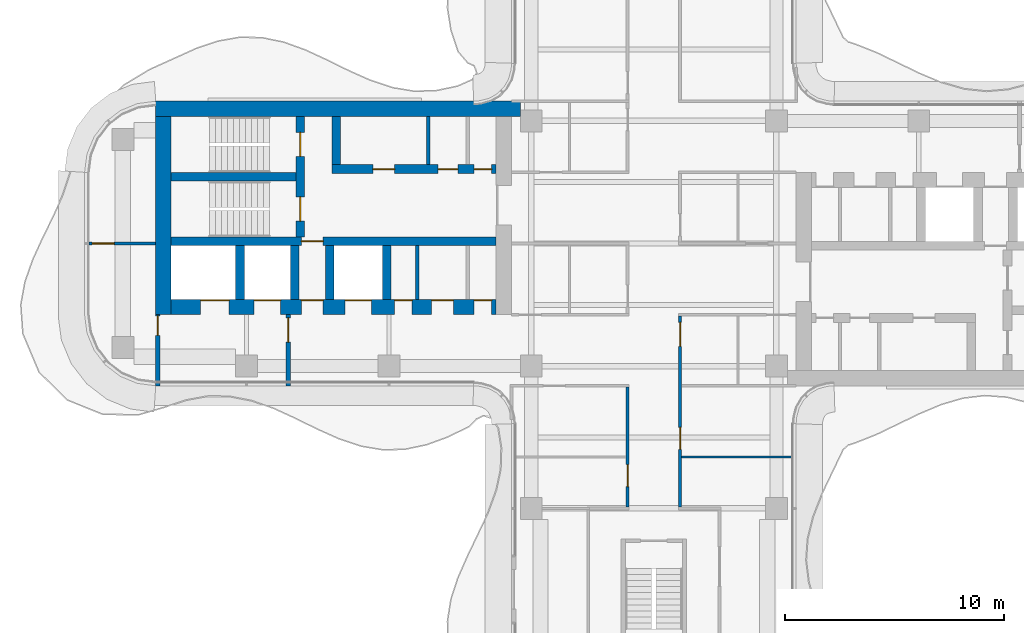
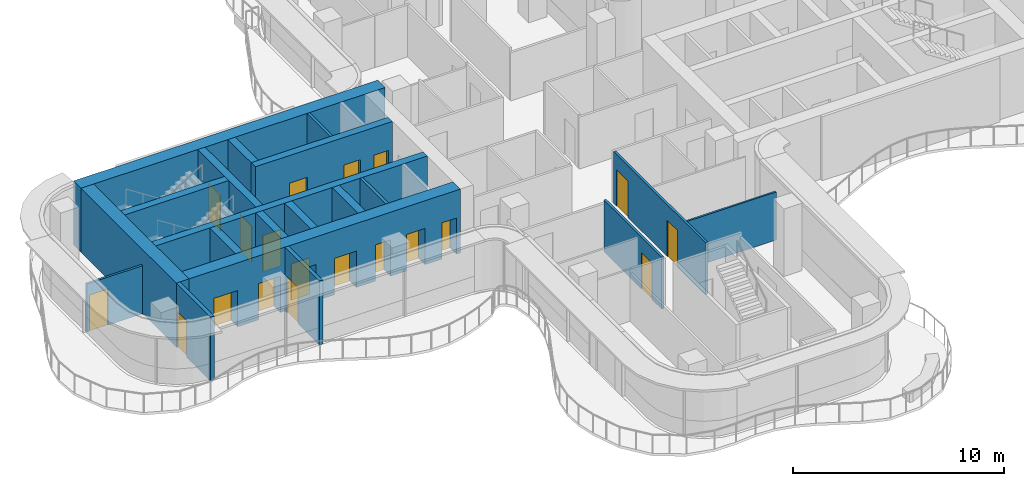
# One storey, part 11 of 16: 20 walls, 19 doors, 19 openings.
"""IFC4 building model written with IfcOpenShell, lengths in metres."""

import ifcopenshell
import ifcopenshell.guid

model = None  # the IFC model being written
_history = None  # IfcOwnerHistory: only IFC2X3 demands one
_inside = {}  # id of a spatial element -> (the spatial element, [elements in it])
_under = {}  # id of a project, library or spatial element -> (it, [spatial elements below it])
_declared = {}  # id of a project -> (the project, [libraries it declares])
_typed = {}  # id of a type object -> (the type object, [elements of that type])
_made_of = {}  # id of a material, layer set ... -> (it, [elements and type objects made of it])


def new_model(schema):
    """Start an empty IFC model of exactly this schema.

    Asked for "IFC4X3", IfcOpenShell would pick the latest addendum, in which some entities
    have other attributes; the version numbers below select the first issue.
    IFC2X3 requires an IfcOwnerHistory on every rooted entity: one is made here for all.
    """
    global model, _history
    if schema == "IFC4X3":
        model = ifcopenshell.file(schema_version=(4, 3, 0, 0))
    else:
        model = ifcopenshell.file(schema=schema)
    _inside.clear()
    _under.clear()
    _declared.clear()
    _typed.clear()
    _made_of.clear()
    _history = None
    if model.schema == "IFC2X3":
        org = make("IfcOrganization", Name="unknown")
        user = make(
            "IfcPersonAndOrganization",
            ThePerson=make("IfcPerson", FamilyName="unknown"),
            TheOrganization=org,
        )
        app = make(
            "IfcApplication",
            ApplicationDeveloper=org,
            Version="unknown",
            ApplicationFullName="unknown",
            ApplicationIdentifier="unknown",
        )
        _history = make(
            "IfcOwnerHistory",
            OwningUser=user,
            OwningApplication=app,
            ChangeAction="ADDED",
            CreationDate=0,
        )
    return model


def make(cls, **values):
    """One entity of the class cls with the attributes given. An attribute that is None is left unset."""
    return model.create_entity(
        cls, **{name: value for name, value in values.items() if value is not None}
    )


def rooted(cls, **values):
    """An entity with a GlobalId (a new one), such as an element, a storey or a relation."""
    return make(cls, GlobalId=ifcopenshell.guid.new(), OwnerHistory=_history, **values)


def si_unit(unit_type, name, prefix=None):
    """IfcSIUnit, for example si_unit("LENGTHUNIT", "METRE", prefix="MILLI")."""
    return make("IfcSIUnit", UnitType=unit_type, Prefix=prefix, Name=name)


def assignment(units):
    """IfcUnitAssignment: the units of a project."""
    return None if units is None else make("IfcUnitAssignment", Units=units)


def point(xyz):
    """IfcCartesianPoint."""
    return None if xyz is None else make("IfcCartesianPoint", Coordinates=xyz)


def direction(xyz):
    """IfcDirection."""
    return None if xyz is None else make("IfcDirection", DirectionRatios=xyz)


def frame(location, z_axis=None, x_axis=None):
    """IfcAxis2Placement3D, a coordinate frame: its origin and axes. An axis left out is left unset."""
    return make(
        "IfcAxis2Placement3D",
        Location=point(location),
        Axis=direction(z_axis),
        RefDirection=direction(x_axis),
    )


def frame_2d(location, x_axis=None):
    """IfcAxis2Placement2D, a coordinate frame in the plane: its origin and x axis."""
    return make(
        "IfcAxis2Placement2D", Location=point(location), RefDirection=direction(x_axis)
    )


def origin():
    """The frame at (0, 0, 0) with its axes left unset."""
    return frame((0.0, 0.0, 0.0))


def place(relative_to, where):
    """IfcLocalPlacement: puts the frame where relative to a parent placement (None: the world)."""
    return make(
        "IfcLocalPlacement", PlacementRelTo=relative_to, RelativePlacement=where
    )


def context(
    kind, dimensions, precision=None, world=None, true_north=None, identifier=None
):
    """IfcGeometricRepresentationContext, for example the 3D "Model" context."""
    return make(
        "IfcGeometricRepresentationContext",
        ContextIdentifier=identifier,
        ContextType=kind,
        CoordinateSpaceDimension=dimensions,
        Precision=precision,
        WorldCoordinateSystem=world,
        TrueNorth=true_north,
    )


def subcontext(parent, identifier, kind, view, scale=None):
    """IfcGeometricRepresentationSubContext, for example "Body" below "Model"."""
    return make(
        "IfcGeometricRepresentationSubContext",
        ContextIdentifier=identifier,
        ContextType=kind,
        ParentContext=parent,
        TargetScale=scale,
        TargetView=view,
    )


def project(units=None, contexts=None):
    """IfcProject with its units and contexts."""
    return rooted(
        "IfcProject",
        Name="project",
        RepresentationContexts=contexts,
        UnitsInContext=assignment(units),
    )


def spatial(cls, under=None, at=None, **own):
    """A site, building, storey or space (cls), placed at a placement, below another one or the project."""
    s = rooted(cls, ObjectPlacement=at, **own)
    if under is not None:
        _under.setdefault(under.id(), (under, []))[1].append(s)
    return s


def profile(cls, at=None, kind="AREA", **sizes):
    """A parametric profile (cls). Its sizes go by their IFC names, for example OverallWidth=200.0."""
    return make(cls, ProfileType=kind, Position=at, **sizes)


def rectangle(**sizes):
    """IfcRectangleProfileDef."""
    return profile("IfcRectangleProfileDef", **sizes)


def extrude(swept, where, along, depth):
    """IfcExtrudedAreaSolid: the profile swept, set in the frame where, extruded along a direction by depth."""
    return make(
        "IfcExtrudedAreaSolid",
        SweptArea=swept,
        Position=where,
        ExtrudedDirection=direction(along),
        Depth=depth,
    )


def shape(context_of_items, identifier, shape_type, items):
    """IfcShapeRepresentation: the items that make up one representation, for example the "Body"."""
    return make(
        "IfcShapeRepresentation",
        ContextOfItems=context_of_items,
        RepresentationIdentifier=identifier,
        RepresentationType=shape_type,
        Items=items,
    )


def source(mapping_origin, context_of_items, identifier, shape_type, items):
    """IfcRepresentationMap: a shape defined once, which mapped items show again and again."""
    return make(
        "IfcRepresentationMap",
        MappingOrigin=mapping_origin,
        MappedRepresentation=shape(context_of_items, identifier, shape_type, items),
    )


def transform(
    local_origin,
    x_axis=None,
    y_axis=None,
    z_axis=None,
    scale=None,
    scale2=None,
    scale3=None,
    uniform=True,
):
    """IfcCartesianTransformationOperator3D, or its non-uniform kind. x_axis, y_axis, z_axis: its Axis1, 2, 3."""
    if uniform:
        return make(
            "IfcCartesianTransformationOperator3D",
            Axis1=direction(x_axis),
            Axis2=direction(y_axis),
            LocalOrigin=point(local_origin),
            Scale=scale,
            Axis3=direction(z_axis),
        )
    return make(
        "IfcCartesianTransformationOperator3DnonUniform",
        Axis1=direction(x_axis),
        Axis2=direction(y_axis),
        LocalOrigin=point(local_origin),
        Scale=scale,
        Axis3=direction(z_axis),
        Scale2=scale2,
        Scale3=scale3,
    )


def mapped(mapping_source, mapping_target):
    """IfcMappedItem: shows the shape of a source again, moved by a transform."""
    return make(
        "IfcMappedItem", MappingSource=mapping_source, MappingTarget=mapping_target
    )


def material(Name=None, Category=None):
    """IfcMaterial."""
    return make("IfcMaterial", Name=Name, Category=Category)


def layer(
    of_material, thickness, ventilated=None, Name=None, Category=None, Priority=None
):
    """IfcMaterialLayer: one layer of a wall or slab, of a material (None: an air gap)."""
    return make(
        "IfcMaterialLayer",
        Material=of_material,
        LayerThickness=thickness,
        IsVentilated=ventilated,
        Name=Name,
        Category=Category,
        Priority=Priority,
    )


def layer_set(layers, Name=None):
    """IfcMaterialLayerSet."""
    return make("IfcMaterialLayerSet", MaterialLayers=layers, LayerSetName=Name)


def made_of(thing, what):
    """Note that an element or type object is made of a material, layer set ...; save() writes the relation."""
    if what is not None:
        _made_of.setdefault(what.id(), (what, []))[1].append(thing)
    return thing


def type_object(cls, material=None, **own):
    """A type object (cls), such as IfcWallType, which elements share."""
    return made_of(rooted(cls, **own), material)


def element(
    cls,
    number,
    at=None,
    inside=None,
    cuts=None,
    type_object=None,
    material=None,
    context=None,
    identifier="Body",
    shape_type=None,
    held_by="IfcProductDefinitionShape",
    body=None,
    shapes=None,
    **own,
):
    """One element of the class cls, such as IfcWall. Its Tag is "e" and its number.

    at: its placement. inside: the storey or other place that contains it. cuts: it is an
    opening in that element (IfcRelVoidsElement). A single representation is given by context,
    identifier, shape_type and body (its items); several are given by shapes. held_by: the class
    of the entity that holds the representations. save() writes the other relations.
    """
    e = rooted(cls, Tag="e%d" % number, ObjectPlacement=at, **own)
    if body is not None:
        shapes = [shape(context, identifier, shape_type, body)]
    if shapes is not None:
        e.Representation = make(held_by, Representations=shapes)
    if inside is not None:
        _inside.setdefault(inside.id(), (inside, []))[1].append(e)
    if cuts is not None:
        rooted(
            "IfcRelVoidsElement", RelatingBuildingElement=cuts, RelatedOpeningElement=e
        )
    if type_object is not None:
        _typed.setdefault(type_object.id(), (type_object, []))[1].append(e)
    return made_of(e, material)


def fill(opening, filler):
    """IfcRelFillsElement: the door or window that sits in an opening."""
    return rooted(
        "IfcRelFillsElement",
        RelatingOpeningElement=opening,
        RelatedBuildingElement=filler,
    )


def aggregate(whole, parts):
    """IfcRelAggregates: a whole, such as a stair, and the parts it consists of."""
    return rooted("IfcRelAggregates", RelatingObject=whole, RelatedObjects=parts)


def save(model, path):
    """Write the relations noted so far, then the file.

    IfcRelAggregates (storeys below a building ...), IfcRelContainedInSpatialStructure (elements
    in a storey), IfcRelDefinesByType, IfcRelAssociatesMaterial and IfcRelDeclares: one each for
    every whole, place, type object, material and project.
    """
    for whole, parts in _under.values():
        aggregate(whole, parts)
    for where, things in _inside.values():
        rooted(
            "IfcRelContainedInSpatialStructure",
            RelatedElements=things,
            RelatingStructure=where,
        )
    for kind, things in _typed.values():
        rooted("IfcRelDefinesByType", RelatedObjects=things, RelatingType=kind)
    for what, things in _made_of.values():
        rooted("IfcRelAssociatesMaterial", RelatedObjects=things, RelatingMaterial=what)
    for by, libraries in _declared.values():
        rooted("IfcRelDeclares", RelatingContext=by, RelatedDefinitions=libraries)
    model.write(path)


model = new_model("IFC4")

# Units and contexts
model_context = context("Model", 3, precision=1e-05, world=origin(), true_north=direction((0.0, 1.0)))
body_context = subcontext(model_context, "Body", "Model", "MODEL_VIEW")
ifc_project = project(units=[si_unit("LENGTHUNIT", "METRE"), si_unit("AREAUNIT", "SQUARE_METRE"), si_unit("VOLUMEUNIT", "CUBIC_METRE"), si_unit("PLANEANGLEUNIT", "RADIAN"), si_unit("MASSUNIT", "GRAM", prefix="KILO")], contexts=[model_context])

# Site, building, storey
site_placement = place(None, origin())
site = spatial("IfcSite", under=ifc_project, at=site_placement, CompositionType="ELEMENT")
building_placement = place(site_placement, origin())
building = spatial("IfcBuilding", under=site, at=building_placement, Name="Trellis Farm Tower", CompositionType="ELEMENT")
storey_placement = place(building_placement, frame((0.0, 0.0, 302.800048828125)))
storey = spatial("IfcBuildingStorey", under=building, at=storey_placement, Name="L68", CompositionType="ELEMENT", Elevation=302.800048828125)

# Walls
ifc_material_1 = material(Name="Concrete C50/60", Category="concrete")
ifc_layer_1 = layer(ifc_material_1, 0.699951171875)
ifc_layer_set_1 = layer_set([ifc_layer_1], Name="CORE OUTER WALL 700 CONCRETE C50/60")
wall_type_1 = type_object("IfcWallType", Name="CORE OUTER WALL 700 CONCRETE C50/60", PredefinedType="SHEAR", material=ifc_layer_set_1)
shared_shape_1 = source(origin(), body_context, "Body", "SweptSolid", [
    extrude(rectangle(XDim=9.050048828125, YDim=0.699951171875, at=frame_2d((4.52490234375, 0.0))), origin(), (0.0, 0.0, 1.0), 3.699951171875),
])
wall_1_placement = place(storey_placement, frame((-22.39990234375, 5.800048828125, 0.0), z_axis=(0.0, 0.0, 1.0), x_axis=(0.0, -1.0, 0.0)))
element("IfcWall", 1, at=wall_1_placement, inside=storey, type_object=wall_type_1, Name="Core wall", PredefinedType="SHEAR", context=body_context, shape_type="MappedRepresentation", body=[
    mapped(shared_shape_1, transform((0.0, 0.0, 0.0))),
])
ifc_layer_2 = layer(ifc_material_1, 0.39990234375)
ifc_layer_set_2 = layer_set([ifc_layer_2], Name="CORE INNER WALL 400 CONCRETE C50/60")
wall_type_2 = type_object("IfcWallType", Name="CORE INNER WALL 400 CONCRETE C50/60", PredefinedType="SHEAR", material=ifc_layer_set_2)
shared_shape_2 = source(origin(), body_context, "Body", "SweptSolid", [
    extrude(rectangle(XDim=2.449951171875, YDim=0.39990234375, at=frame_2d((1.22509765625, 0.0))), origin(), (0.0, 0.0, 1.0), 3.699951171875),
])
for number, where, z_axis, x_axis, name in (
    (2, (-12.199951171875, -0.10009765625, 0.0), (0.0, 0.0, 1.0), (0.0, -1.0, 0.0), "Core wall"),
    (3, (-14.800048828125, -0.10009765625, 0.0), (0.0, 0.0, 1.0), (0.0, -1.0, 0.0), "Core wall"),
    (4, (-16.39990234375, -0.10009765625, 0.0), (0.0, 0.0, 1.0), (0.0, -1.0, 0.0), "Core wall"),
    (5, (-18.89990234375, -0.10009765625, 0.0), (0.0, 0.0, 1.0), (0.0, -1.0, 0.0), "Core wall"),
):
    element("IfcWall", number, at=place(storey_placement, frame(where, z_axis=z_axis, x_axis=x_axis)), inside=storey, type_object=wall_type_2, Name=name, PredefinedType="SHEAR", context=body_context, shape_type="MappedRepresentation", body=[
        mapped(shared_shape_2, transform((0.0, 0.0, 0.0))),
    ])

# Wall, opening, door
ifc_material_2 = material(Name="Masonry blockwork", Category="masonry")
ifc_layer_3 = layer(ifc_material_2, 0.199951171875)
ifc_layer_set_3 = layer_set([ifc_layer_3], Name="FIRE LOBBY PARTITION 200 BLOCKWORK")
wall_type_3 = type_object("IfcWallType", Name="FIRE LOBBY PARTITION 200 BLOCKWORK", PredefinedType="PARTITIONING", material=ifc_layer_set_3)
shared_shape_3 = source(origin(), body_context, "Body", "SweptSolid", [
    extrude(rectangle(XDim=3.25, YDim=0.199951171875, at=frame_2d((1.625, 0.0))), origin(), (0.0, 0.0, 1.0), 3.699951171875),
])
wall_2_placement = place(storey_placement, frame((-16.699951171875, -3.25, 0.0), z_axis=(0.0, 0.0, 1.0), x_axis=(0.0, -1.0, 0.0)))
wall_2 = element("IfcWall", 6, at=wall_2_placement, inside=storey, type_object=wall_type_3, Name="Fire-fighting lobby partition", PredefinedType="PARTITIONING", context=body_context, shape_type="MappedRepresentation", body=[
    mapped(shared_shape_3, transform((0.0, 0.0, 0.0))),
])
shared_shape_4 = source(origin(), body_context, "Body", "SweptSolid", [
    extrude(rectangle(XDim=1.10009765625, YDim=2.10009765625, at=frame_2d((0.550048828125, 1.050048828125))), frame((0.0, 0.110107421875, 0.0), z_axis=(0.0, -1.0, 0.0), x_axis=(1.0, 0.0, 0.0)), (0.0, 0.0, 1.0), 0.22021484375),
])
opening_1_placement = place(wall_2_placement, frame((0.14990234375, 0.0, 0.0)))
opening_1 = element("IfcOpeningElement", 7, at=opening_1_placement, cuts=wall_2, Name="Opening DC93", PredefinedType="OPENING", context=body_context, shape_type="MappedRepresentation", body=[
    mapped(shared_shape_4, transform((0.0, 0.0, 0.0))),
])
ifc_material_3 = material(Name="Steel", Category="steel")
door_type_1 = type_object("IfcDoorType", Name="CORE FIRE DOOR 1100 X 2100", OperationType="NOTDEFINED", PredefinedType="DOOR", material=ifc_material_3)
shared_shape_5 = source(origin(), body_context, "Body", "SweptSolid", [
    extrude(rectangle(XDim=1.10009765625, YDim=2.10009765625, at=frame_2d((0.550048828125, 1.050048828125))), frame((0.0, 0.02490234375, 0.0), z_axis=(0.0, -1.0, 0.0), x_axis=(1.0, 0.0, 0.0)), (0.0, 0.0, 1.0), 0.050048828125),
])
door_1_placement = place(opening_1_placement, origin())
door_1 = element("IfcDoor", 8, at=door_1_placement, inside=storey, type_object=door_type_1, Name="Core door", OperationType="SINGLE_SWING_RIGHT", OverallHeight=2.10009765625, OverallWidth=1.10009765625, PredefinedType="DOOR", context=body_context, shape_type="MappedRepresentation", body=[
    mapped(shared_shape_5, transform((0.0, 0.0, 0.0))),
])
fill(opening_1, door_1)

wall_3_placement = place(storey_placement, frame((-22.64990234375, -3.25, 0.0), z_axis=(0.0, 0.0, 1.0), x_axis=(0.0, -1.0, 0.0)))
wall_3 = element("IfcWall", 9, at=wall_3_placement, inside=storey, type_object=wall_type_3, Name="Fire-fighting lobby partition", PredefinedType="PARTITIONING", context=body_context, shape_type="MappedRepresentation", body=[
    mapped(shared_shape_3, transform((0.0, 0.0, 0.0))),
])
shared_shape_6 = source(origin(), body_context, "Body", "SweptSolid", [
    extrude(rectangle(XDim=0.89990234375, YDim=2.10009765625, at=frame_2d((0.449951171875, 1.050048828125))), frame((0.0, 0.110107421875, 0.0), z_axis=(0.0, -1.0, 0.0), x_axis=(1.0, 0.0, 0.0)), (0.0, 0.0, 1.0), 0.22021484375),
])
opening_2_placement = place(wall_3_placement, frame((0.050048828125, 0.0, 0.0)))
opening_2 = element("IfcOpeningElement", 10, at=opening_2_placement, cuts=wall_3, Name="Opening DC94", PredefinedType="OPENING", context=body_context, shape_type="MappedRepresentation", body=[
    mapped(shared_shape_6, transform((0.0, 0.0, 0.0))),
])
door_type_2 = type_object("IfcDoorType", Name="CORE FIRE DOOR 900 X 2100", OperationType="NOTDEFINED", PredefinedType="DOOR", material=ifc_material_3)
shared_shape_7 = source(origin(), body_context, "Body", "SweptSolid", [
    extrude(rectangle(XDim=0.89990234375, YDim=2.10009765625, at=frame_2d((0.449951171875, 1.050048828125))), frame((0.0, 0.02490234375, 0.0), z_axis=(0.0, -1.0, 0.0), x_axis=(1.0, 0.0, 0.0)), (0.0, 0.0, 1.0), 0.050048828125),
])
door_2_placement = place(opening_2_placement, origin())
door_2 = element("IfcDoor", 11, at=door_2_placement, inside=storey, type_object=door_type_2, Name="Core door", OperationType="SINGLE_SWING_RIGHT", OverallHeight=2.10009765625, OverallWidth=0.89990234375, PredefinedType="DOOR", context=body_context, shape_type="MappedRepresentation", body=[
    mapped(shared_shape_7, transform((0.0, 0.0, 0.0))),
])
fill(opening_2, door_2)

# Wall, openings, doors
shared_shape_8 = source(origin(), body_context, "Body", "SweptSolid", [
    extrude(rectangle(XDim=14.85009765625, YDim=0.699951171875, at=frame_2d((7.425048828125, 0.0))), origin(), (0.0, 0.0, 1.0), 3.699951171875),
])
wall_4_placement = place(storey_placement, frame((-7.199951171875, -2.89990234375, 0.0), z_axis=(0.0, 0.0, 1.0), x_axis=(-1.0, 0.0, 0.0)))
wall_4 = element("IfcWall", 12, at=wall_4_placement, inside=storey, type_object=wall_type_1, Name="Core wall", PredefinedType="SHEAR", context=body_context, shape_type="MappedRepresentation", body=[
    mapped(shared_shape_8, transform((0.0, 0.0, 0.0))),
])
shared_shape_9 = source(origin(), body_context, "Body", "SweptSolid", [
    extrude(rectangle(XDim=1.199951171875, YDim=2.10009765625, at=frame_2d((0.60009765625, 1.050048828125))), frame((0.0, 0.360107421875, 0.0), z_axis=(0.0, -1.0, 0.0), x_axis=(1.0, 0.0, 0.0)), (0.0, 0.0, 1.0), 0.72021484375),
])
opening_3_placement = place(wall_4_placement, frame((5.699951171875, 0.0, 0.0)))
opening_3 = element("IfcOpeningElement", 13, at=opening_3_placement, cuts=wall_4, Name="Opening LD14", PredefinedType="OPENING", context=body_context, shape_type="MappedRepresentation", body=[
    mapped(shared_shape_9, transform((0.0, 0.0, 0.0))),
])
shared_shape_10 = source(origin(), body_context, "Body", "SweptSolid", [
    extrude(rectangle(XDim=1.300048828125, YDim=2.10009765625, at=frame_2d((0.64990234375, 1.050048828125))), frame((0.0, 0.360107421875, 0.0), z_axis=(0.0, -1.0, 0.0), x_axis=(1.0, 0.0, 0.0)), (0.0, 0.0, 1.0), 0.72021484375),
])
opening_4_placement = place(wall_4_placement, frame((12.199951171875, 0.0, 0.0)))
opening_4 = element("IfcOpeningElement", 14, at=opening_4_placement, cuts=wall_4, Name="Opening LD15", PredefinedType="OPENING", context=body_context, shape_type="MappedRepresentation", body=[
    mapped(shared_shape_10, transform((0.0, 0.0, 0.0))),
])
opening_5_placement = place(wall_4_placement, frame((9.85009765625, 0.0, 0.0)))
opening_5 = element("IfcOpeningElement", 15, at=opening_5_placement, cuts=wall_4, Name="Opening LD16", PredefinedType="OPENING", context=body_context, shape_type="MappedRepresentation", body=[
    mapped(shared_shape_9, transform((0.0, 0.0, 0.0))),
])
shared_shape_11 = source(origin(), body_context, "Body", "SweptSolid", [
    extrude(rectangle(XDim=1.0, YDim=2.10009765625, at=frame_2d((0.5, 1.050048828125))), frame((0.0, 0.360107421875, 0.0), z_axis=(0.0, -1.0, 0.0), x_axis=(1.0, 0.0, 0.0)), (0.0, 0.0, 1.0), 0.72021484375),
])
opening_6_placement = place(wall_4_placement, frame((7.89990234375, 0.0, 0.0)))
opening_6 = element("IfcOpeningElement", 16, at=opening_6_placement, cuts=wall_4, Name="Opening DC92", PredefinedType="OPENING", context=body_context, shape_type="MappedRepresentation", body=[
    mapped(shared_shape_11, transform((0.0, 0.0, 0.0))),
])
shared_shape_12 = source(origin(), body_context, "Body", "SweptSolid", [
    extrude(rectangle(XDim=0.800048828125, YDim=2.10009765625, at=frame_2d((0.39990234375, 1.050048828125))), frame((0.0, 0.360107421875, 0.0), z_axis=(0.0, -1.0, 0.0), x_axis=(1.0, 0.0, 0.0)), (0.0, 0.0, 1.0), 0.72021484375),
])
opening_7_placement = place(wall_4_placement, frame((0.21240234375, 0.0, 0.0)))
opening_7 = element("IfcOpeningElement", 17, at=opening_7_placement, cuts=wall_4, Name="Opening DC96", PredefinedType="OPENING", context=body_context, shape_type="MappedRepresentation", body=[
    mapped(shared_shape_12, transform((0.0, 0.0, 0.0))),
])
opening_8_placement = place(wall_4_placement, frame((1.949951171875, 0.0, 0.0)))
opening_8 = element("IfcOpeningElement", 18, at=opening_8_placement, cuts=wall_4, Name="Opening DC105", PredefinedType="OPENING", context=body_context, shape_type="MappedRepresentation", body=[
    mapped(shared_shape_11, transform((0.0, 0.0, 0.0))),
])
opening_9_placement = place(wall_4_placement, frame((3.83740234375, 0.0, 0.0)))
opening_9 = element("IfcOpeningElement", 19, at=opening_9_placement, cuts=wall_4, Name="Opening DC108", PredefinedType="OPENING", context=body_context, shape_type="MappedRepresentation", body=[
    mapped(shared_shape_12, transform((0.0, 0.0, 0.0))),
])
door_type_3 = type_object("IfcDoorType", Name="CORE FIRE DOOR 1000 X 2100", OperationType="NOTDEFINED", PredefinedType="DOOR", material=ifc_material_3)
shared_shape_13 = source(origin(), body_context, "Body", "SweptSolid", [
    extrude(rectangle(XDim=1.0, YDim=2.10009765625, at=frame_2d((0.5, 1.050048828125))), frame((0.0, -0.27490234375, 0.0), z_axis=(0.0, -1.0, 0.0), x_axis=(1.0, 0.0, 0.0)), (0.0, 0.0, 1.0), 0.050048828125),
])
door_3_placement = place(opening_6_placement, origin())
door_3 = element("IfcDoor", 20, at=door_3_placement, inside=storey, type_object=door_type_3, Name="Core door", OperationType="SINGLE_SWING_LEFT", OverallHeight=2.10009765625, OverallWidth=1.0, PredefinedType="DOOR", context=body_context, shape_type="MappedRepresentation", body=[
    mapped(shared_shape_13, transform((0.0, 0.0, 0.0))),
])
fill(opening_6, door_3)
door_4_placement = place(opening_8_placement, origin())
door_4 = element("IfcDoor", 21, at=door_4_placement, inside=storey, type_object=door_type_3, Name="Core door", OperationType="SINGLE_SWING_LEFT", OverallHeight=2.10009765625, OverallWidth=1.0, PredefinedType="DOOR", context=body_context, shape_type="MappedRepresentation", body=[
    mapped(shared_shape_13, transform((0.0, 0.0, 0.0))),
])
fill(opening_8, door_4)
ifc_material_4 = material(Name="Stainless steel", Category="steel")
door_type_4 = type_object("IfcDoorType", Name="LIFT LANDING DOOR 1300 X 2100", OperationType="DOUBLE_DOOR_SLIDING", PredefinedType="DOOR", material=ifc_material_4)
shared_shape_14 = source(origin(), body_context, "Body", "SweptSolid", [
    extrude(rectangle(XDim=1.300048828125, YDim=2.10009765625, at=frame_2d((0.64990234375, 1.050048828125))), frame((0.0, -0.27490234375, 0.0), z_axis=(0.0, -1.0, 0.0), x_axis=(1.0, 0.0, 0.0)), (0.0, 0.0, 1.0), 0.050048828125),
])
door_5_placement = place(opening_4_placement, origin())
door_5 = element("IfcDoor", 22, at=door_5_placement, inside=storey, type_object=door_type_4, Name="Lift landing door", OperationType="DOUBLE_DOOR_SLIDING", OverallHeight=2.10009765625, OverallWidth=1.300048828125, PredefinedType="DOOR", context=body_context, shape_type="MappedRepresentation", body=[
    mapped(shared_shape_14, transform((0.0, 0.0, 0.0))),
])
fill(opening_4, door_5)
door_type_5 = type_object("IfcDoorType", Name="LIFT LANDING DOOR 1200 X 2100", OperationType="DOUBLE_DOOR_SLIDING", PredefinedType="DOOR", material=ifc_material_4)
shared_shape_15 = source(origin(), body_context, "Body", "SweptSolid", [
    extrude(rectangle(XDim=1.199951171875, YDim=2.10009765625, at=frame_2d((0.60009765625, 1.050048828125))), frame((0.0, -0.27490234375, 0.0), z_axis=(0.0, -1.0, 0.0), x_axis=(1.0, 0.0, 0.0)), (0.0, 0.0, 1.0), 0.050048828125),
])
door_6_placement = place(opening_3_placement, origin())
door_6 = element("IfcDoor", 23, at=door_6_placement, inside=storey, type_object=door_type_5, Name="Lift landing door", OperationType="DOUBLE_DOOR_SLIDING", OverallHeight=2.10009765625, OverallWidth=1.199951171875, PredefinedType="DOOR", context=body_context, shape_type="MappedRepresentation", body=[
    mapped(shared_shape_15, transform((0.0, 0.0, 0.0))),
])
fill(opening_3, door_6)
door_7_placement = place(opening_5_placement, origin())
door_7 = element("IfcDoor", 24, at=door_7_placement, inside=storey, type_object=door_type_5, Name="Lift landing door", OperationType="DOUBLE_DOOR_SLIDING", OverallHeight=2.10009765625, OverallWidth=1.199951171875, PredefinedType="DOOR", context=body_context, shape_type="MappedRepresentation", body=[
    mapped(shared_shape_15, transform((0.0, 0.0, 0.0))),
])
fill(opening_5, door_7)
door_type_6 = type_object("IfcDoorType", Name="CORE FIRE DOOR 800 X 2100", OperationType="NOTDEFINED", PredefinedType="DOOR", material=ifc_material_3)
shared_shape_16 = source(origin(), body_context, "Body", "SweptSolid", [
    extrude(rectangle(XDim=0.800048828125, YDim=2.10009765625, at=frame_2d((0.39990234375, 1.050048828125))), frame((0.0, -0.27490234375, 0.0), z_axis=(0.0, -1.0, 0.0), x_axis=(1.0, 0.0, 0.0)), (0.0, 0.0, 1.0), 0.050048828125),
])
door_8_placement = place(opening_7_placement, origin())
door_8 = element("IfcDoor", 25, at=door_8_placement, inside=storey, type_object=door_type_6, Name="Core door", OperationType="SINGLE_SWING_RIGHT", OverallHeight=2.10009765625, OverallWidth=0.800048828125, PredefinedType="DOOR", context=body_context, shape_type="MappedRepresentation", body=[
    mapped(shared_shape_16, transform((0.0, 0.0, 0.0))),
])
fill(opening_7, door_8)
door_9_placement = place(opening_9_placement, origin())
door_9 = element("IfcDoor", 26, at=door_9_placement, inside=storey, type_object=door_type_6, Name="Core door", OperationType="SINGLE_SWING_RIGHT", OverallHeight=2.10009765625, OverallWidth=0.800048828125, PredefinedType="DOOR", context=body_context, shape_type="MappedRepresentation", body=[
    mapped(shared_shape_16, transform((0.0, 0.0, 0.0))),
])
fill(opening_9, door_9)

shared_shape_17 = source(origin(), body_context, "Body", "SweptSolid", [
    extrude(rectangle(XDim=7.5, YDim=0.39990234375, at=frame_2d((3.75, 0.0))), origin(), (0.0, 0.0, 1.0), 3.699951171875),
])
wall_5_placement = place(storey_placement, frame((-7.199951171875, 3.39990234375, 0.0), z_axis=(0.0, 0.0, 1.0), x_axis=(-1.0, 0.0, 0.0)))
wall_5 = element("IfcWall", 27, at=wall_5_placement, inside=storey, type_object=wall_type_2, Name="Core wall", PredefinedType="SHEAR", context=body_context, shape_type="MappedRepresentation", body=[
    mapped(shared_shape_17, transform((0.0, 0.0, 0.0))),
])
shared_shape_18 = source(origin(), body_context, "Body", "SweptSolid", [
    extrude(rectangle(XDim=0.800048828125, YDim=2.10009765625, at=frame_2d((0.39990234375, 1.050048828125))), frame((0.0, 0.2099609375, 0.0), z_axis=(0.0, -1.0, 0.0), x_axis=(1.0, 0.0, 0.0)), (0.0, 0.0, 1.0), 0.419921875),
])
opening_10_placement = place(wall_5_placement, frame((0.21240234375, 0.0, 0.0)))
opening_10 = element("IfcOpeningElement", 28, at=opening_10_placement, cuts=wall_5, Name="Opening DC137", PredefinedType="OPENING", context=body_context, shape_type="MappedRepresentation", body=[
    mapped(shared_shape_18, transform((0.0, 0.0, 0.0))),
])
shared_shape_19 = source(origin(), body_context, "Body", "SweptSolid", [
    extrude(rectangle(XDim=0.89990234375, YDim=2.10009765625, at=frame_2d((0.449951171875, 1.050048828125))), frame((0.0, 0.2099609375, 0.0), z_axis=(0.0, -1.0, 0.0), x_axis=(1.0, 0.0, 0.0)), (0.0, 0.0, 1.0), 0.419921875),
])
opening_11_placement = place(wall_5_placement, frame((1.75, 0.0, 0.0)))
opening_11 = element("IfcOpeningElement", 29, at=opening_11_placement, cuts=wall_5, Name="Opening DC146", PredefinedType="OPENING", context=body_context, shape_type="MappedRepresentation", body=[
    mapped(shared_shape_19, transform((0.0, 0.0, 0.0))),
])
shared_shape_20 = source(origin(), body_context, "Body", "SweptSolid", [
    extrude(rectangle(XDim=1.0, YDim=2.10009765625, at=frame_2d((0.5, 1.050048828125))), frame((0.0, 0.2099609375, 0.0), z_axis=(0.0, -1.0, 0.0), x_axis=(1.0, 0.0, 0.0)), (0.0, 0.0, 1.0), 0.419921875),
])
opening_12_placement = place(wall_5_placement, frame((4.637451171875, 0.0, 0.0)))
opening_12 = element("IfcOpeningElement", 30, at=opening_12_placement, cuts=wall_5, Name="Opening DC153", PredefinedType="OPENING", context=body_context, shape_type="MappedRepresentation", body=[
    mapped(shared_shape_20, transform((0.0, 0.0, 0.0))),
])
shared_shape_21 = source(origin(), body_context, "Body", "SweptSolid", [
    extrude(rectangle(XDim=1.0, YDim=2.10009765625, at=frame_2d((0.5, 1.050048828125))), frame((0.0, 0.02490234375, 0.0), z_axis=(0.0, -1.0, 0.0), x_axis=(1.0, 0.0, 0.0)), (0.0, 0.0, 1.0), 0.050048828125),
])
door_10_placement = place(opening_12_placement, origin())
door_10 = element("IfcDoor", 31, at=door_10_placement, inside=storey, type_object=door_type_3, Name="Core door", OperationType="SINGLE_SWING_LEFT", OverallHeight=2.10009765625, OverallWidth=1.0, PredefinedType="DOOR", context=body_context, shape_type="MappedRepresentation", body=[
    mapped(shared_shape_21, transform((0.0, 0.0, 0.0))),
])
fill(opening_12, door_10)
door_11_placement = place(opening_11_placement, origin())
door_11 = element("IfcDoor", 32, at=door_11_placement, inside=storey, type_object=door_type_2, Name="Core door", OperationType="SINGLE_SWING_RIGHT", OverallHeight=2.10009765625, OverallWidth=0.89990234375, PredefinedType="DOOR", context=body_context, shape_type="MappedRepresentation", body=[
    mapped(shared_shape_7, transform((0.0, 0.0, 0.0))),
])
fill(opening_11, door_11)
shared_shape_22 = source(origin(), body_context, "Body", "SweptSolid", [
    extrude(rectangle(XDim=0.800048828125, YDim=2.10009765625, at=frame_2d((0.39990234375, 1.050048828125))), frame((0.0, 0.02490234375, 0.0), z_axis=(0.0, -1.0, 0.0), x_axis=(1.0, 0.0, 0.0)), (0.0, 0.0, 1.0), 0.050048828125),
])
door_12_placement = place(opening_10_placement, origin())
door_12 = element("IfcDoor", 33, at=door_12_placement, inside=storey, type_object=door_type_6, Name="Core door", OperationType="SINGLE_SWING_LEFT", OverallHeight=2.10009765625, OverallWidth=0.800048828125, PredefinedType="DOOR", context=body_context, shape_type="MappedRepresentation", body=[
    mapped(shared_shape_22, transform((0.0, 0.0, 0.0))),
])
fill(opening_10, door_12)

# Wall, opening, door
shared_shape_23 = source(origin(), body_context, "Body", "SweptSolid", [
    extrude(rectangle(XDim=14.85009765625, YDim=0.39990234375, at=frame_2d((7.425048828125, 0.0))), origin(), (0.0, 0.0, 1.0), 3.699951171875),
])
wall_6_placement = place(storey_placement, frame((-7.199951171875, 0.10009765625, 0.0), z_axis=(0.0, 0.0, 1.0), x_axis=(-1.0, 0.0, 0.0)))
wall_6 = element("IfcWall", 34, at=wall_6_placement, inside=storey, type_object=wall_type_2, Name="Core wall", PredefinedType="SHEAR", context=body_context, shape_type="MappedRepresentation", body=[
    mapped(shared_shape_23, transform((0.0, 0.0, 0.0))),
])
opening_13_placement = place(wall_6_placement, frame((7.89990234375, 0.0, 0.0)))
opening_13 = element("IfcOpeningElement", 35, at=opening_13_placement, cuts=wall_6, Name="Opening DC91", PredefinedType="OPENING", context=body_context, shape_type="MappedRepresentation", body=[
    mapped(shared_shape_20, transform((0.0, 0.0, 0.0))),
])
door_13_placement = place(opening_13_placement, origin())
door_13 = element("IfcDoor", 36, at=door_13_placement, inside=storey, type_object=door_type_3, Name="Core door", OperationType="SINGLE_SWING_RIGHT", OverallHeight=2.10009765625, OverallWidth=1.0, PredefinedType="DOOR", context=body_context, shape_type="MappedRepresentation", body=[
    mapped(shared_shape_21, transform((0.0, 0.0, 0.0))),
])
fill(opening_13, door_13)

# Wall, openings, doors
shared_shape_24 = source(origin(), body_context, "Body", "SweptSolid", [
    extrude(rectangle(XDim=5.5, YDim=0.39990234375, at=frame_2d((2.75, 0.0))), origin(), (0.0, 0.0, 1.0), 3.699951171875),
])
wall_7_placement = place(storey_placement, frame((-16.14990234375, 5.800048828125, 0.0), z_axis=(0.0, 0.0, 1.0), x_axis=(0.0, -1.0, 0.0)))
wall_7 = element("IfcWall", 37, at=wall_7_placement, inside=storey, type_object=wall_type_2, Name="Core wall", PredefinedType="SHEAR", context=body_context, shape_type="MappedRepresentation", body=[
    mapped(shared_shape_24, transform((0.0, 0.0, 0.0))),
])
shared_shape_25 = source(origin(), body_context, "Body", "SweptSolid", [
    extrude(rectangle(XDim=1.10009765625, YDim=2.10009765625, at=frame_2d((0.550048828125, 1.050048828125))), frame((0.0, 0.2099609375, 0.0), z_axis=(0.0, -1.0, 0.0), x_axis=(1.0, 0.0, 0.0)), (0.0, 0.0, 1.0), 0.419921875),
])
opening_14_placement = place(wall_7_placement, frame((0.72509765625, 0.0, 0.0)))
opening_14 = element("IfcOpeningElement", 38, at=opening_14_placement, cuts=wall_7, Name="Opening DC88", PredefinedType="OPENING", context=body_context, shape_type="MappedRepresentation", body=[
    mapped(shared_shape_25, transform((0.0, 0.0, 0.0))),
])
opening_15_placement = place(wall_7_placement, frame((3.675048828125, 0.0, 0.0)))
opening_15 = element("IfcOpeningElement", 39, at=opening_15_placement, cuts=wall_7, Name="Opening DC89", PredefinedType="OPENING", context=body_context, shape_type="MappedRepresentation", body=[
    mapped(shared_shape_25, transform((0.0, 0.0, 0.0))),
])
door_14_placement = place(opening_14_placement, origin())
door_14 = element("IfcDoor", 40, at=door_14_placement, inside=storey, type_object=door_type_1, Name="Core door", OperationType="SINGLE_SWING_RIGHT", OverallHeight=2.10009765625, OverallWidth=1.10009765625, PredefinedType="DOOR", context=body_context, shape_type="MappedRepresentation", body=[
    mapped(shared_shape_5, transform((0.0, 0.0, 0.0))),
])
fill(opening_14, door_14)
door_15_placement = place(opening_15_placement, origin())
door_15 = element("IfcDoor", 41, at=door_15_placement, inside=storey, type_object=door_type_1, Name="Core door", OperationType="SINGLE_SWING_LEFT", OverallHeight=2.10009765625, OverallWidth=1.10009765625, PredefinedType="DOOR", context=body_context, shape_type="MappedRepresentation", body=[
    mapped(shared_shape_5, transform((0.0, 0.0, 0.0))),
])
fill(opening_15, door_15)

# Walls
shared_shape_26 = source(origin(), body_context, "Body", "SweptSolid", [
    extrude(rectangle(XDim=5.699951171875, YDim=0.39990234375, at=frame_2d((2.85009765625, 0.0))), origin(), (0.0, 0.0, 1.0), 3.699951171875),
])
wall_8_placement = place(storey_placement, frame((-16.35009765625, 3.050048828125, 0.0), z_axis=(0.0, 0.0, 1.0), x_axis=(-1.0, 0.0, 0.0)))
element("IfcWall", 42, at=wall_8_placement, inside=storey, type_object=wall_type_2, Name="Core wall", PredefinedType="SHEAR", context=body_context, shape_type="MappedRepresentation", body=[
    mapped(shared_shape_26, transform((0.0, 0.0, 0.0))),
])
shared_shape_27 = source(origin(), body_context, "Body", "SweptSolid", [
    extrude(rectangle(XDim=2.199951171875, YDim=0.39990234375, at=frame_2d((1.10009765625, 0.0))), origin(), (0.0, 0.0, 1.0), 3.699951171875),
])
wall_9_placement = place(storey_placement, frame((-14.5, 5.800048828125, 0.0), z_axis=(0.0, 0.0, 1.0), x_axis=(0.0, -1.0, 0.0)))
element("IfcWall", 43, at=wall_9_placement, inside=storey, type_object=wall_type_2, Name="Core wall", PredefinedType="SHEAR", context=body_context, shape_type="MappedRepresentation", body=[
    mapped(shared_shape_27, transform((0.0, 0.0, 0.0))),
])
ifc_layer_4 = layer(ifc_material_2, 0.14990234375)
ifc_layer_set_4 = layer_set([ifc_layer_4], Name="CORE PARTITION 150 BLOCKWORK")
wall_type_4 = type_object("IfcWallType", Name="CORE PARTITION 150 BLOCKWORK", PredefinedType="PARTITIONING", material=ifc_layer_set_4)
shared_shape_28 = source(origin(), body_context, "Body", "SweptSolid", [
    extrude(rectangle(XDim=2.199951171875, YDim=0.14990234375, at=frame_2d((1.10009765625, 0.0))), origin(), (0.0, 0.0, 1.0), 3.699951171875),
])
wall_10_placement = place(storey_placement, frame((-10.300048828125, 5.800048828125, 0.0), z_axis=(0.0, 0.0, 1.0), x_axis=(0.0, -1.0, 0.0)))
element("IfcWall", 44, at=wall_10_placement, inside=storey, type_object=wall_type_4, Name="Core room partition", PredefinedType="PARTITIONING", context=body_context, shape_type="MappedRepresentation", body=[
    mapped(shared_shape_28, transform((0.0, 0.0, 0.0))),
])
shared_shape_29 = source(origin(), body_context, "Body", "SweptSolid", [
    extrude(rectangle(XDim=16.64990234375, YDim=0.699951171875, at=frame_2d((8.324951171875, 0.0))), origin(), (0.0, 0.0, 1.0), 3.699951171875),
])
wall_11_placement = place(storey_placement, frame((-6.10009765625, 6.14990234375, 0.0), z_axis=(0.0, 0.0, 1.0), x_axis=(-1.0, 0.0, 0.0)))
element("IfcWall", 45, at=wall_11_placement, inside=storey, type_object=wall_type_1, Name="Core wall", PredefinedType="SHEAR", context=body_context, shape_type="MappedRepresentation", body=[
    mapped(shared_shape_29, transform((0.0, 0.0, 0.0))),
])
shared_shape_30 = source(origin(), body_context, "Body", "SweptSolid", [
    extrude(rectangle(XDim=2.449951171875, YDim=0.14990234375, at=frame_2d((1.22509765625, 0.0))), origin(), (0.0, 0.0, 1.0), 3.699951171875),
])
wall_12_placement = place(storey_placement, frame((-10.800048828125, -0.10009765625, 0.0), z_axis=(0.0, 0.0, 1.0), x_axis=(0.0, -1.0, 0.0)))
element("IfcWall", 46, at=wall_12_placement, inside=storey, type_object=wall_type_4, Name="Core room partition", PredefinedType="PARTITIONING", context=body_context, shape_type="MappedRepresentation", body=[
    mapped(shared_shape_30, transform((0.0, 0.0, 0.0))),
])

# Wall, opening, door
ifc_material_5 = material(Name="Plasterboard on steel studs, mineral wool", Category="steel")
ifc_layer_5 = layer(ifc_material_5, 0.125)
ifc_layer_set_5 = layer_set([ifc_layer_5], Name="PARTITION 125 STUD EI 60")
wall_type_5 = type_object("IfcWallType", Name="PARTITION 125 STUD EI 60", PredefinedType="PARTITIONING", material=ifc_layer_set_5)
shared_shape_31 = source(origin(), body_context, "Body", "SweptSolid", [
    extrude(rectangle(XDim=5.47509765625, YDim=0.125, at=frame_2d((2.737548828125, 0.0))), origin(), (0.0, 0.0, 1.0), 2.99658203125),
])
wall_13_placement = place(storey_placement, frame((-1.199951171875, -6.5625, 0.0), z_axis=(0.0, 0.0, 1.0), x_axis=(0.0, -1.0, 0.0)))
wall_13 = element("IfcWall", 47, at=wall_13_placement, inside=storey, type_object=wall_type_5, Name="Partition PW1", PredefinedType="PARTITIONING", context=body_context, shape_type="MappedRepresentation", body=[
    mapped(shared_shape_31, transform((0.0, 0.0, 0.0))),
])
shared_shape_32 = source(origin(), body_context, "Body", "SweptSolid", [
    extrude(rectangle(XDim=1.0, YDim=2.10009765625, at=frame_2d((0.5, 1.050048828125))), frame((0.0, 0.072509765625, 0.0), z_axis=(0.0, -1.0, 0.0), x_axis=(1.0, 0.0, 0.0)), (0.0, 0.0, 1.0), 0.14501953125),
])
opening_16_placement = place(wall_13_placement, frame((3.53759765625, 0.0, 0.0)))
opening_16 = element("IfcOpeningElement", 48, at=opening_16_placement, cuts=wall_13, Name="Opening D102", PredefinedType="OPENING", context=body_context, shape_type="MappedRepresentation", body=[
    mapped(shared_shape_32, transform((0.0, 0.0, 0.0))),
])
ifc_material_6 = material(Name="Fire-rated timber door leaf in a hollow metal frame", Category="wood")
door_type_7 = type_object("IfcDoorType", Name="DOOR 1000x2100 FD30S", OperationType="NOTDEFINED", PredefinedType="DOOR", material=ifc_material_6)
door_16_placement = place(opening_16_placement, origin())
door_16 = element("IfcDoor", 49, at=door_16_placement, inside=storey, type_object=door_type_7, Name="Door D102", OperationType="SINGLE_SWING_LEFT", OverallHeight=2.10009765625, OverallWidth=1.0, PredefinedType="DOOR", context=body_context, shape_type="MappedRepresentation", body=[
    mapped(shared_shape_21, transform((0.0, 0.0, 0.0))),
])
fill(opening_16, door_16)

# Wall, openings, doors
shared_shape_33 = source(origin(), body_context, "Body", "SweptSolid", [
    extrude(rectangle(XDim=8.72509765625, YDim=0.125, at=frame_2d((4.362548828125, 0.0))), origin(), (0.0, 0.0, 1.0), 2.99658203125),
])
wall_14_placement = place(storey_placement, frame((1.199951171875, -3.3125, 0.0), z_axis=(0.0, 0.0, 1.0), x_axis=(0.0, -1.0, 0.0)))
wall_14 = element("IfcWall", 50, at=wall_14_placement, inside=storey, type_object=wall_type_5, Name="Partition PW1", PredefinedType="PARTITIONING", context=body_context, shape_type="MappedRepresentation", body=[
    mapped(shared_shape_33, transform((0.0, 0.0, 0.0))),
])
opening_17_placement = place(wall_14_placement, frame((5.08740234375, 0.0, 0.0)))
opening_17 = element("IfcOpeningElement", 51, at=opening_17_placement, cuts=wall_14, Name="Opening D103", PredefinedType="OPENING", context=body_context, shape_type="MappedRepresentation", body=[
    mapped(shared_shape_32, transform((0.0, 0.0, 0.0))),
])
shared_shape_34 = source(origin(), body_context, "Body", "SweptSolid", [
    extrude(rectangle(XDim=1.10009765625, YDim=2.10009765625, at=frame_2d((0.550048828125, 1.050048828125))), frame((0.0, 0.072509765625, 0.0), z_axis=(0.0, -1.0, 0.0), x_axis=(1.0, 0.0, 0.0)), (0.0, 0.0, 1.0), 0.14501953125),
])
opening_18_placement = place(wall_14_placement, frame((0.28759765625, 0.0, 0.0)))
opening_18 = element("IfcOpeningElement", 52, at=opening_18_placement, cuts=wall_14, Name="Opening D501", PredefinedType="OPENING", context=body_context, shape_type="MappedRepresentation", body=[
    mapped(shared_shape_34, transform((0.0, 0.0, 0.0))),
])
door_type_8 = type_object("IfcDoorType", Name="DOOR 1100x2100 FD30S", OperationType="NOTDEFINED", PredefinedType="DOOR", material=ifc_material_6)
door_17_placement = place(opening_18_placement, origin())
door_17 = element("IfcDoor", 53, at=door_17_placement, inside=storey, type_object=door_type_8, Name="Door D501", OperationType="SINGLE_SWING_LEFT", OverallHeight=2.10009765625, OverallWidth=1.10009765625, PredefinedType="DOOR", context=body_context, shape_type="MappedRepresentation", body=[
    mapped(shared_shape_5, transform((0.0, 0.0, 0.0))),
])
fill(opening_18, door_17)
door_18_placement = place(opening_17_placement, origin())
door_18 = element("IfcDoor", 54, at=door_18_placement, inside=storey, type_object=door_type_7, Name="Door D103", OperationType="SINGLE_SWING_RIGHT", OverallHeight=2.10009765625, OverallWidth=1.0, PredefinedType="DOOR", context=body_context, shape_type="MappedRepresentation", body=[
    mapped(shared_shape_21, transform((0.0, 0.0, 0.0))),
])
fill(opening_17, door_18)

# Wall
ifc_material_7 = material(Name="Plasterboard on steel studs", Category="steel")
ifc_layer_6 = layer(ifc_material_7, 0.10009765625)
ifc_layer_set_6 = layer_set([ifc_layer_6], Name="PARTITION 100 STUD EI 30")
wall_type_6 = type_object("IfcWallType", Name="PARTITION 100 STUD EI 30", PredefinedType="PARTITIONING", material=ifc_layer_set_6)
shared_shape_35 = source(origin(), body_context, "Body", "SweptSolid", [
    extrude(rectangle(XDim=5.03759765625, YDim=0.10009765625, at=frame_2d((2.518798828125, 0.0))), origin(), (0.0, 0.0, 1.0), 2.780029296875),
])
wall_15_placement = place(storey_placement, frame((1.262451171875, -9.75, 0.0), z_axis=(0.0, 0.0, 1.0), x_axis=(1.0, 0.0, 0.0)))
element("IfcWall", 55, at=wall_15_placement, inside=storey, type_object=wall_type_6, Name="Partition PW2", PredefinedType="PARTITIONING", context=body_context, shape_type="MappedRepresentation", body=[
    mapped(shared_shape_35, transform((0.0, 0.0, 0.0))),
])

# Wall, opening, door
shared_shape_36 = source(origin(), body_context, "Body", "SweptSolid", [
    extrude(rectangle(XDim=3.050048828125, YDim=0.125, at=frame_2d((1.52490234375, 0.0))), origin(), (0.0, 0.0, 1.0), 2.780029296875),
])
wall_16_placement = place(storey_placement, frame((-25.800048828125, 0.0, 0.0), z_axis=(0.0, 0.0, 1.0), x_axis=(1.0, 0.0, 0.0)))
wall_16 = element("IfcWall", 56, at=wall_16_placement, inside=storey, type_object=wall_type_5, Name="Partition PW1", PredefinedType="PARTITIONING", context=body_context, shape_type="MappedRepresentation", body=[
    mapped(shared_shape_36, transform((0.0, 0.0, 0.0))),
])
opening_19_placement = place(wall_16_placement, frame((0.14990234375, 0.0, 0.0)))
opening_19 = element("IfcOpeningElement", 57, at=opening_19_placement, cuts=wall_16, Name="Opening D108", PredefinedType="OPENING", context=body_context, shape_type="MappedRepresentation", body=[
    mapped(shared_shape_32, transform((0.0, 0.0, 0.0))),
])
door_19_placement = place(opening_19_placement, origin())
door_19 = element("IfcDoor", 58, at=door_19_placement, inside=storey, type_object=door_type_7, Name="Door D108", OperationType="SINGLE_SWING_LEFT", OverallHeight=2.10009765625, OverallWidth=1.0, PredefinedType="DOOR", context=body_context, shape_type="MappedRepresentation", body=[
    mapped(shared_shape_21, transform((0.0, 0.0, 0.0))),
])
fill(opening_19, door_19)

save(model, "model.ifc")
